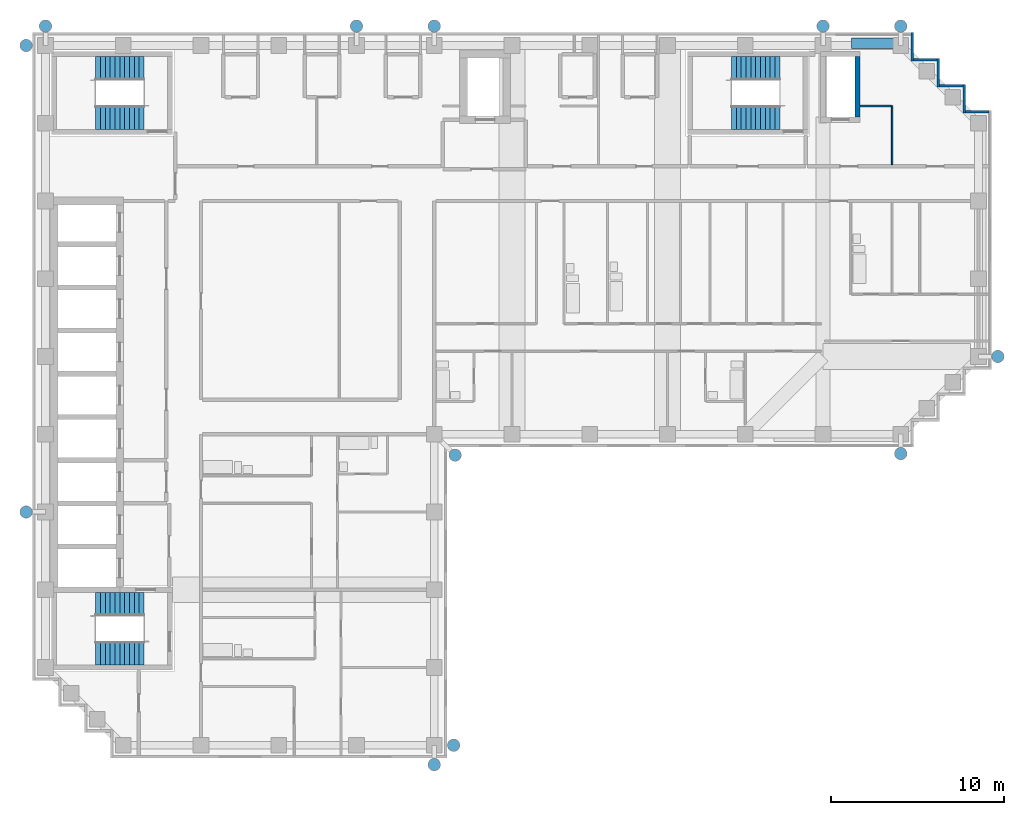
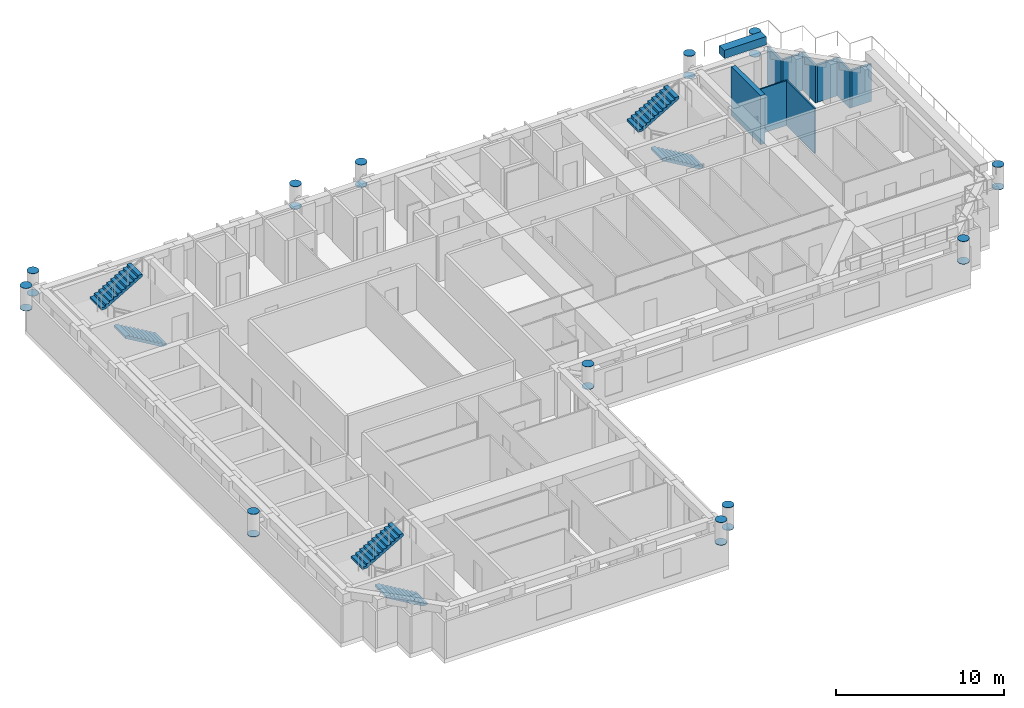
# One storey, part 7 of 9: 24 discrete accessories, 10 walls, 6 stair flights, 3 elements without a shape of their own.
"""IFC4 building model written with IfcOpenShell, lengths in metres."""

from ifc_helpers import new_model, si_unit, direction, frame, frame_2d, origin, origin_2d, place, context, subcontext, project, spatial, polyline, rectangle, circle, outline, extrude, material, layer, layer_set, material_profile, profile_set, type_object, element, aggregate, save


model = new_model("IFC4")

# Units and contexts
model_context = context("Model", 3, precision=1e-05, world=origin(), true_north=direction((0.0, 1.0)))
body_context = subcontext(model_context, "Body", "Model", "MODEL_VIEW")
ifc_project = project(units=[si_unit("LENGTHUNIT", "METRE"), si_unit("AREAUNIT", "SQUARE_METRE"), si_unit("VOLUMEUNIT", "CUBIC_METRE"), si_unit("PLANEANGLEUNIT", "RADIAN"), si_unit("MASSUNIT", "GRAM", prefix="KILO")], contexts=[model_context])

# Site, building, storey
site_placement = place(None, origin())
site = spatial("IfcSite", under=ifc_project, at=site_placement, CompositionType="ELEMENT")
building_placement = place(site_placement, origin())
building = spatial("IfcBuilding", under=site, at=building_placement, Name="Firuza Court", CompositionType="ELEMENT")
storey_placement = place(building_placement, frame((0.0, 0.0, 229.39990234375)))
storey = spatial("IfcBuildingStorey", under=building, at=storey_placement, Name="L59", CompositionType="ELEMENT", Elevation=229.39990234375)

# Walls
ifc_material_1 = material(Name="Concrete C50/60", Category="concrete")
ifc_layer_1 = layer(ifc_material_1, 0.300048828125)
ifc_layer_set_1 = layer_set([ifc_layer_1], Name="Concrete C50/60")
wall_type_1 = type_object("IfcWallType", Name="Core wall 300 C50/60", PredefinedType="SHEAR", material=ifc_layer_set_1)
wall_1_placement = place(storey_placement, frame((47.0, 54.35009765625, -0.2998046875), z_axis=(0.0, 0.0, 1.0), x_axis=(0.0, 1.0, 0.0)))
element("IfcWall", 1, at=wall_1_placement, inside=storey, type_object=wall_type_1, Name="Core wall riser L59", PredefinedType="SHEAR", context=body_context, shape_type="SweptSolid", body=[
    extrude(rectangle(XDim=3.5, YDim=0.300048828125, at=frame_2d((1.75, 0.0))), origin(), (0.0, 0.0, 1.0), 3.5498046875),
])
ifc_material_2 = material(Name="Timber stud partition, plasterboard both sides", Category="wood")
ifc_layer_2 = layer(ifc_material_2, 0.10009765625)
ifc_layer_set_2 = layer_set([ifc_layer_2], Name="Timber stud partition, plasterboard both sides")
wall_type_2 = type_object("IfcWallType", Name="Partition wall 100", PredefinedType="PARTITIONING", material=ifc_layer_set_2)
wall_2_placement = place(storey_placement, frame((49.0, 51.60009765625, 0.0), z_axis=(0.0, 0.0, 1.0), x_axis=(0.0, 1.0, 0.0)))
element("IfcWall", 2, at=wall_2_placement, inside=storey, type_object=wall_type_2, Name="Partition wall 100 L59", PredefinedType="PARTITIONING", context=body_context, shape_type="SweptSolid", body=[
    extrude(rectangle(XDim=3.39990234375, YDim=0.10009765625, at=frame_2d((1.699951171875, 0.0))), origin(), (0.0, 0.0, 1.0), 3.25),
])
wall_3_placement = place(storey_placement, frame((47.14990234375, 55.0, 0.0), z_axis=(0.0, 0.0, 1.0), x_axis=(1.0, 0.0, 0.0)))
element("IfcWall", 3, at=wall_3_placement, inside=storey, type_object=wall_type_2, Name="Partition wall 100 L59", PredefinedType="PARTITIONING", context=body_context, shape_type="SweptSolid", body=[
    extrude(rectangle(XDim=1.800048828125, YDim=0.10009765625, at=frame_2d((0.89990234375, 0.0))), origin(), (0.0, 0.0, 1.0), 3.25),
])
ifc_material_3 = material(Name="Ceramic tile", Category="ceramic")
ifc_layer_3 = layer(ifc_material_3, 0.02001953125)
ifc_material_4 = material(Name="Mineral wool insulation", Category="insulation")
ifc_layer_4 = layer(ifc_material_4, 0.050048828125)
ifc_material_5 = material(Name="Concrete C40/50 precast", Category="concrete")
ifc_layer_5 = layer(ifc_material_5, 0.080078125)
ifc_layer_set_3 = layer_set([ifc_layer_3, ifc_layer_4, ifc_layer_5], Name="Concrete C40/50 precast")
wall_type_3 = type_object("IfcWallType", Name="Precast cladding wall with turquoise TILE PANEL face 150", PredefinedType="STANDARD", material=ifc_layer_set_3)
wall_4_placement = place(storey_placement, frame((54.60009765625, 54.675048828125, 0.0), z_axis=(0.0, 0.0, 1.0), x_axis=(-1.0, 0.0, 0.0)))
element("IfcWall", 4, at=wall_4_placement, inside=storey, type_object=wall_type_3, Name="Facade wall L59 N", PredefinedType="STANDARD", context=body_context, shape_type="SweptSolid", body=[
    extrude(rectangle(XDim=1.35009765625, YDim=0.14990234375, at=frame_2d((0.675048828125, 0.0))), origin(), (0.0, 0.0, 1.0), 2.7001953125),
])
wall_5_placement = place(storey_placement, frame((53.175048828125, 54.60009765625, 0.0), z_axis=(0.0, 0.0, 1.0), x_axis=(0.0, 1.0, 0.0)))
element("IfcWall", 5, at=wall_5_placement, inside=storey, type_object=wall_type_3, Name="Facade wall L59 E", PredefinedType="STANDARD", context=body_context, shape_type="SweptSolid", body=[
    extrude(rectangle(XDim=1.64990234375, YDim=0.14990234375, at=frame_2d((0.824951171875, 0.0))), origin(), (0.0, 0.0, 1.0), 2.7001953125),
])
wall_6_placement = place(storey_placement, frame((53.10009765625, 56.175048828125, 0.0), z_axis=(0.0, 0.0, 1.0), x_axis=(-1.0, 0.0, 0.0)))
element("IfcWall", 6, at=wall_6_placement, inside=storey, type_object=wall_type_3, Name="Facade wall L59 N", PredefinedType="STANDARD", context=body_context, shape_type="SweptSolid", body=[
    extrude(rectangle(XDim=1.35009765625, YDim=0.14990234375, at=frame_2d((0.675048828125, 0.0))), origin(), (0.0, 0.0, 1.0), 2.7001953125),
])
wall_7_placement = place(storey_placement, frame((51.675048828125, 56.10009765625, 0.0), z_axis=(0.0, 0.0, 1.0), x_axis=(0.0, 1.0, 0.0)))
element("IfcWall", 7, at=wall_7_placement, inside=storey, type_object=wall_type_3, Name="Facade wall L59 E", PredefinedType="STANDARD", context=body_context, shape_type="SweptSolid", body=[
    extrude(rectangle(XDim=1.64990234375, YDim=0.14990234375, at=frame_2d((0.824951171875, 0.0))), origin(), (0.0, 0.0, 1.0), 2.7001953125),
])
wall_8_placement = place(storey_placement, frame((51.60009765625, 57.675048828125, 0.0), z_axis=(0.0, 0.0, 1.0), x_axis=(-1.0, 0.0, 0.0)))
element("IfcWall", 8, at=wall_8_placement, inside=storey, type_object=wall_type_3, Name="Facade wall L59 N", PredefinedType="STANDARD", context=body_context, shape_type="SweptSolid", body=[
    extrude(rectangle(XDim=1.35009765625, YDim=0.14990234375, at=frame_2d((0.675048828125, 0.0))), origin(), (0.0, 0.0, 1.0), 2.7001953125),
])
wall_9_placement = place(storey_placement, frame((50.175048828125, 57.60009765625, 0.0), z_axis=(0.0, 0.0, 1.0), x_axis=(0.0, 1.0, 0.0)))
element("IfcWall", 9, at=wall_9_placement, inside=storey, type_object=wall_type_3, Name="Facade wall L59 E", PredefinedType="STANDARD", context=body_context, shape_type="SweptSolid", body=[
    extrude(rectangle(XDim=1.64990234375, YDim=0.14990234375, at=frame_2d((0.824951171875, 0.0))), origin(), (0.0, 0.0, 1.0), 2.7001953125),
])
ifc_layer_6 = layer(ifc_material_3, 0.02001953125)
ifc_layer_7 = layer(ifc_material_5, 0.14990234375)
ifc_material_6 = material(Name="Planting soil", Category="soil")
ifc_layer_8 = layer(ifc_material_6, 0.429931640625)
ifc_layer_set_4 = layer_set([ifc_layer_6, ifc_layer_7, ifc_layer_8], Name="Concrete C40/50 precast")
wall_type_4 = type_object("IfcWallType", Name="Terrace planter 600", PredefinedType="STANDARD", material=ifc_layer_set_4)
wall_10_placement = place(storey_placement, frame((46.64990234375, 58.6298828125, 3.60009765625), z_axis=(0.0, 0.0, 1.0), x_axis=(1.0, 0.0, 0.0)))
element("IfcWall", 10, at=wall_10_placement, inside=storey, type_object=wall_type_4, Name="PLANTER L59", PredefinedType="STANDARD", context=body_context, shape_type="SweptSolid", body=[
    extrude(rectangle(XDim=2.880126953125, YDim=0.60009765625, at=frame_2d((1.43994140625, 0.0))), origin(), (0.0, 0.0, 1.0), 0.60009765625),
])

# Stair, stair flights
ifc_material_7 = material(Name="Concrete C40/50 precast", Category="concrete")
stair_type = type_object("IfcStairType", Name="Stair 1350 x 3600 2 flights", PredefinedType="HALF_TURN_STAIR", material=ifc_material_7)
stair_1_placement = place(storey_placement, origin())
stair_1 = element("IfcStair", 11, at=stair_1_placement, inside=storey, type_object=stair_type, Name="Stair 1 L59", PredefinedType="HALF_TURN_STAIR")
ifc_material_8 = material(Name="Concrete C40/50 precast", Category="concrete")
stair_flight_type = type_object("IfcStairFlightType", Name="Flight 1350 riser 163.6", PredefinedType="STRAIGHT", material=ifc_material_8)
stair_flight_1_placement = place(storey_placement, frame((42.5, 54.324951171875, 0.0), z_axis=(0.0, 0.0, 1.0), x_axis=(-1.0, 0.0, 0.0)))
stair_flight_1 = element("IfcStairFlight", 12, at=stair_flight_1_placement, type_object=stair_flight_type, Name="S1 flight 1", NumberOfRisers=11, NumberOfTreads=10, PredefinedType="STRAIGHT", RiserHeight=0.163636364, TreadLength=0.28, context=body_context, shape_type="SweptSolid", body=[
    extrude(outline(polyline([(0.0, 0.0), (0.0, 0.16357421875), (0.280029296875, 0.16357421875), (0.280029296875, 0.327392578125), (0.56005859375, 0.327392578125), (0.56005859375, 0.490966796875), (0.840087890625, 0.490966796875), (0.840087890625, 0.654541015625), (1.1201171875, 0.654541015625), (1.1201171875, 0.818115234375), (1.39990234375, 0.818115234375), (1.39990234375, 0.98193359375), (1.679931640625, 0.98193359375), (1.679931640625, 1.1455078125), (1.9599609375, 1.1455078125), (1.9599609375, 1.30908203125), (2.239990234375, 1.30908203125), (2.239990234375, 1.47265625), (2.52001953125, 1.47265625), (2.52001953125, 1.636474609375), (2.800048828125, 1.636474609375), (2.800048828125, 1.800048828125), (2.800048828125, 1.462646484375), (0.297119140625, 0.0), (0.0, 0.0)])), frame((0.0, 0.675048828125, 0.0), z_axis=(0.0, -1.0, 0.0), x_axis=(1.0, 0.0, 0.0)), (0.0, 0.0, 1.0), 1.35009765625),
])
stair_flight_2_placement = place(storey_placement, frame((39.699951171875, 57.175048828125, 1.800048828125), z_axis=(0.0, 0.0, 1.0), x_axis=(1.0, 0.0, 0.0)))
stair_flight_2 = element("IfcStairFlight", 13, at=stair_flight_2_placement, type_object=stair_flight_type, Name="S1 flight 2", NumberOfRisers=11, NumberOfTreads=10, PredefinedType="STRAIGHT", RiserHeight=0.163636364, TreadLength=0.28, context=body_context, shape_type="SweptSolid", body=[
    extrude(outline(polyline([(0.0, 0.0), (0.0, 0.16357421875), (0.280029296875, 0.16357421875), (0.280029296875, 0.327392578125), (0.56005859375, 0.327392578125), (0.56005859375, 0.490966796875), (0.840087890625, 0.490966796875), (0.840087890625, 0.654541015625), (1.1201171875, 0.654541015625), (1.1201171875, 0.818115234375), (1.39990234375, 0.818115234375), (1.39990234375, 0.98193359375), (1.679931640625, 0.98193359375), (1.679931640625, 1.1455078125), (1.9599609375, 1.1455078125), (1.9599609375, 1.30908203125), (2.239990234375, 1.30908203125), (2.239990234375, 1.47265625), (2.52001953125, 1.47265625), (2.52001953125, 1.636474609375), (2.800048828125, 1.636474609375), (2.800048828125, 1.800048828125), (2.800048828125, 1.462646484375), (0.297119140625, 0.0), (0.0, 0.0)])), frame((0.0, 0.675048828125, 0.0), z_axis=(0.0, -1.0, 0.0), x_axis=(1.0, 0.0, 0.0)), (0.0, 0.0, 1.0), 1.35009765625),
])
aggregate(stair_1, [stair_flight_1, stair_flight_2])

stair_2_placement = place(storey_placement, origin())
stair_2 = element("IfcStair", 14, at=stair_2_placement, inside=storey, type_object=stair_type, Name="Stair 2 L59", PredefinedType="HALF_TURN_STAIR")
stair_flight_3_placement = place(storey_placement, frame((5.699951171875, 23.324951171875, 0.0), z_axis=(0.0, 0.0, 1.0), x_axis=(-1.0, 0.0, 0.0)))
stair_flight_3 = element("IfcStairFlight", 15, at=stair_flight_3_placement, type_object=stair_flight_type, Name="S2 flight 1", NumberOfRisers=11, NumberOfTreads=10, PredefinedType="STRAIGHT", RiserHeight=0.163636364, TreadLength=0.28, context=body_context, shape_type="SweptSolid", body=[
    extrude(outline(polyline([(0.0, 0.0), (0.0, 0.16357421875), (0.280029296875, 0.16357421875), (0.280029296875, 0.327392578125), (0.56005859375, 0.327392578125), (0.56005859375, 0.490966796875), (0.840087890625, 0.490966796875), (0.840087890625, 0.654541015625), (1.1201171875, 0.654541015625), (1.1201171875, 0.818115234375), (1.39990234375, 0.818115234375), (1.39990234375, 0.98193359375), (1.679931640625, 0.98193359375), (1.679931640625, 1.1455078125), (1.9599609375, 1.1455078125), (1.9599609375, 1.30908203125), (2.239990234375, 1.30908203125), (2.239990234375, 1.47265625), (2.52001953125, 1.47265625), (2.52001953125, 1.636474609375), (2.800048828125, 1.636474609375), (2.800048828125, 1.800048828125), (2.800048828125, 1.462646484375), (0.297119140625, 0.0), (0.0, 0.0)])), frame((0.0, 0.675048828125, 0.0), z_axis=(0.0, -1.0, 0.0), x_axis=(1.0, 0.0, 0.0)), (0.0, 0.0, 1.0), 1.35009765625),
])
stair_flight_4_placement = place(storey_placement, frame((2.89990234375, 26.175048828125, 1.800048828125), z_axis=(0.0, 0.0, 1.0), x_axis=(1.0, 0.0, 0.0)))
stair_flight_4 = element("IfcStairFlight", 16, at=stair_flight_4_placement, type_object=stair_flight_type, Name="S2 flight 2", NumberOfRisers=11, NumberOfTreads=10, PredefinedType="STRAIGHT", RiserHeight=0.163636364, TreadLength=0.28, context=body_context, shape_type="SweptSolid", body=[
    extrude(outline(polyline([(0.0, 0.0), (0.0, 0.16357421875), (0.280029296875, 0.16357421875), (0.280029296875, 0.327392578125), (0.56005859375, 0.327392578125), (0.56005859375, 0.490966796875), (0.840087890625, 0.490966796875), (0.840087890625, 0.654541015625), (1.1201171875, 0.654541015625), (1.1201171875, 0.818115234375), (1.39990234375, 0.818115234375), (1.39990234375, 0.98193359375), (1.679931640625, 0.98193359375), (1.679931640625, 1.1455078125), (1.9599609375, 1.1455078125), (1.9599609375, 1.30908203125), (2.239990234375, 1.30908203125), (2.239990234375, 1.47265625), (2.52001953125, 1.47265625), (2.52001953125, 1.636474609375), (2.800048828125, 1.636474609375), (2.800048828125, 1.800048828125), (2.800048828125, 1.462646484375), (0.297119140625, 0.0), (0.0, 0.0)])), frame((0.0, 0.675048828125, 0.0), z_axis=(0.0, -1.0, 0.0), x_axis=(1.0, 0.0, 0.0)), (0.0, 0.0, 1.0), 1.35009765625),
])
aggregate(stair_2, [stair_flight_3, stair_flight_4])

stair_3_placement = place(storey_placement, origin())
stair_3 = element("IfcStair", 17, at=stair_3_placement, inside=storey, type_object=stair_type, Name="Stair 3 L59", PredefinedType="HALF_TURN_STAIR")
stair_flight_5_placement = place(storey_placement, frame((5.699951171875, 54.324951171875, 0.0), z_axis=(0.0, 0.0, 1.0), x_axis=(-1.0, 0.0, 0.0)))
stair_flight_5 = element("IfcStairFlight", 18, at=stair_flight_5_placement, type_object=stair_flight_type, Name="S3 flight 1", NumberOfRisers=11, NumberOfTreads=10, PredefinedType="STRAIGHT", RiserHeight=0.163636364, TreadLength=0.28, context=body_context, shape_type="SweptSolid", body=[
    extrude(outline(polyline([(0.0, 0.0), (0.0, 0.16357421875), (0.280029296875, 0.16357421875), (0.280029296875, 0.327392578125), (0.56005859375, 0.327392578125), (0.56005859375, 0.490966796875), (0.840087890625, 0.490966796875), (0.840087890625, 0.654541015625), (1.1201171875, 0.654541015625), (1.1201171875, 0.818115234375), (1.39990234375, 0.818115234375), (1.39990234375, 0.98193359375), (1.679931640625, 0.98193359375), (1.679931640625, 1.1455078125), (1.9599609375, 1.1455078125), (1.9599609375, 1.30908203125), (2.239990234375, 1.30908203125), (2.239990234375, 1.47265625), (2.52001953125, 1.47265625), (2.52001953125, 1.636474609375), (2.800048828125, 1.636474609375), (2.800048828125, 1.800048828125), (2.800048828125, 1.462646484375), (0.297119140625, 0.0), (0.0, 0.0)])), frame((0.0, 0.675048828125, 0.0), z_axis=(0.0, -1.0, 0.0), x_axis=(1.0, 0.0, 0.0)), (0.0, 0.0, 1.0), 1.35009765625),
])
stair_flight_6_placement = place(storey_placement, frame((2.89990234375, 57.175048828125, 1.800048828125), z_axis=(0.0, 0.0, 1.0), x_axis=(1.0, 0.0, 0.0)))
stair_flight_6 = element("IfcStairFlight", 19, at=stair_flight_6_placement, type_object=stair_flight_type, Name="S3 flight 2", NumberOfRisers=11, NumberOfTreads=10, PredefinedType="STRAIGHT", RiserHeight=0.163636364, TreadLength=0.28, context=body_context, shape_type="SweptSolid", body=[
    extrude(outline(polyline([(0.0, 0.0), (0.0, 0.16357421875), (0.280029296875, 0.16357421875), (0.280029296875, 0.327392578125), (0.56005859375, 0.327392578125), (0.56005859375, 0.490966796875), (0.840087890625, 0.490966796875), (0.840087890625, 0.654541015625), (1.1201171875, 0.654541015625), (1.1201171875, 0.818115234375), (1.39990234375, 0.818115234375), (1.39990234375, 0.98193359375), (1.679931640625, 0.98193359375), (1.679931640625, 1.1455078125), (1.9599609375, 1.1455078125), (1.9599609375, 1.30908203125), (2.239990234375, 1.30908203125), (2.239990234375, 1.47265625), (2.52001953125, 1.47265625), (2.52001953125, 1.636474609375), (2.800048828125, 1.636474609375), (2.800048828125, 1.800048828125), (2.800048828125, 1.462646484375), (0.297119140625, 0.0), (0.0, 0.0)])), frame((0.0, 0.675048828125, 0.0), z_axis=(0.0, -1.0, 0.0), x_axis=(1.0, 0.0, 0.0)), (0.0, 0.0, 1.0), 1.35009765625),
])
aggregate(stair_3, [stair_flight_5, stair_flight_6])

# Discrete accessories
ifc_material_9 = material(Name="Steel S355", Category="steel")
ifc_material_profile = material_profile(ifc_material_9, circle(Radius=0.35546875, at=origin_2d()), Name="PL D711")
ifc_profile_set = profile_set([ifc_material_profile], Name="Steel S355")
discrete_accessory_type = type_object("IfcDiscreteAccessoryType", Name="DIAGRID NODE END PLATE", PredefinedType="NOTDEFINED", material=ifc_profile_set)
for number, where, z_axis, x_axis, name in (
    (20, (-1.1201171875, 31.5, 3.800048828125), (0.0, 0.0, 1.0), (1.0, 0.0, 0.0), "Diagrid node end plate level L59"),
    (21, (-1.1201171875, 31.5, 2.170166015625), (0.0, 0.0, 1.0), (1.0, 0.0, 0.0), "Diagrid node end plate level L59"),
    (22, (-1.1201171875, 58.5, 3.800048828125), (0.0, 0.0, 1.0), (1.0, 0.0, 0.0), "Diagrid node end plate level L59"),
    (23, (-1.1201171875, 58.5, 2.170166015625), (0.0, 0.0, 1.0), (1.0, 0.0, 0.0), "Diagrid node end plate level L59"),
    (24, (0.0, 59.6201171875, 3.800048828125), (0.0, 0.0, 1.0), (1.0, 0.0, 0.0), "Diagrid node end plate level L59"),
    (25, (0.0, 59.6201171875, 2.170166015625), (0.0, 0.0, 1.0), (1.0, 0.0, 0.0), "Diagrid node end plate level L59"),
    (26, (18.0, 59.6201171875, 3.800048828125), (0.0, 0.0, 1.0), (1.0, 0.0, 0.0), "Diagrid node end plate level L59"),
    (27, (18.0, 59.6201171875, 2.170166015625), (0.0, 0.0, 1.0), (1.0, 0.0, 0.0), "Diagrid node end plate level L59"),
    (28, (22.5, 16.8798828125, 3.800048828125), (0.0, 0.0, 1.0), (1.0, 0.0, 0.0), "Diagrid node end plate level L59"),
    (29, (22.5, 16.8798828125, 2.170166015625), (0.0, 0.0, 1.0), (1.0, 0.0, 0.0), "Diagrid node end plate level L59"),
    (30, (22.5, 59.6201171875, 3.800048828125), (0.0, 0.0, 1.0), (1.0, 0.0, 0.0), "Diagrid node end plate level L59"),
    (31, (22.5, 59.6201171875, 2.170166015625), (0.0, 0.0, 1.0), (1.0, 0.0, 0.0), "Diagrid node end plate level L59"),
    (32, (23.6201171875, 18.0, 3.800048828125), (0.0, 0.0, 1.0), (1.0, 0.0, 0.0), "Diagrid node end plate level L59"),
    (33, (23.6201171875, 18.0, 2.170166015625), (0.0, 0.0, 1.0), (1.0, 0.0, 0.0), "Diagrid node end plate level L59"),
    (34, (23.7099609375, 34.7900390625, 3.800048828125), (0.0, 0.0, 1.0), (1.0, 0.0, 0.0), "Diagrid node end plate level L59"),
    (35, (23.7099609375, 34.7900390625, 2.170166015625), (0.0, 0.0, 1.0), (1.0, 0.0, 0.0), "Diagrid node end plate level L59"),
    (36, (45.0, 59.6201171875, 3.800048828125), (0.0, 0.0, 1.0), (1.0, 0.0, 0.0), "Diagrid node end plate level L59"),
    (37, (45.0, 59.6201171875, 2.170166015625), (0.0, 0.0, 1.0), (1.0, 0.0, 0.0), "Diagrid node end plate level L59"),
    (38, (49.5, 34.8798828125, 3.800048828125), (0.0, 0.0, 1.0), (1.0, 0.0, 0.0), "Diagrid node end plate level L59"),
    (39, (49.5, 34.8798828125, 2.170166015625), (0.0, 0.0, 1.0), (1.0, 0.0, 0.0), "Diagrid node end plate level L59"),
    (40, (49.5, 59.6201171875, 3.800048828125), (0.0, 0.0, 1.0), (1.0, 0.0, 0.0), "Diagrid node end plate level L59"),
    (41, (49.5, 59.6201171875, 2.170166015625), (0.0, 0.0, 1.0), (1.0, 0.0, 0.0), "Diagrid node end plate level L59"),
    (42, (55.1201171875, 40.5, 3.800048828125), (0.0, 0.0, 1.0), (1.0, 0.0, 0.0), "Diagrid node end plate level L59"),
    (43, (55.1201171875, 40.5, 2.170166015625), (0.0, 0.0, 1.0), (1.0, 0.0, 0.0), "Diagrid node end plate level L59"),
):
    element("IfcDiscreteAccessory", number, at=place(storey_placement, frame(where, z_axis=z_axis, x_axis=x_axis)), inside=storey, type_object=discrete_accessory_type, Name=name, PredefinedType="NOTDEFINED", context=body_context, shape_type="SweptSolid", body=[
        extrude(circle(Radius=0.35546875, at=origin_2d()), origin(), (0.0, 0.0, 1.0), 0.030029296875),
    ])

save(model, "model.ifc")
